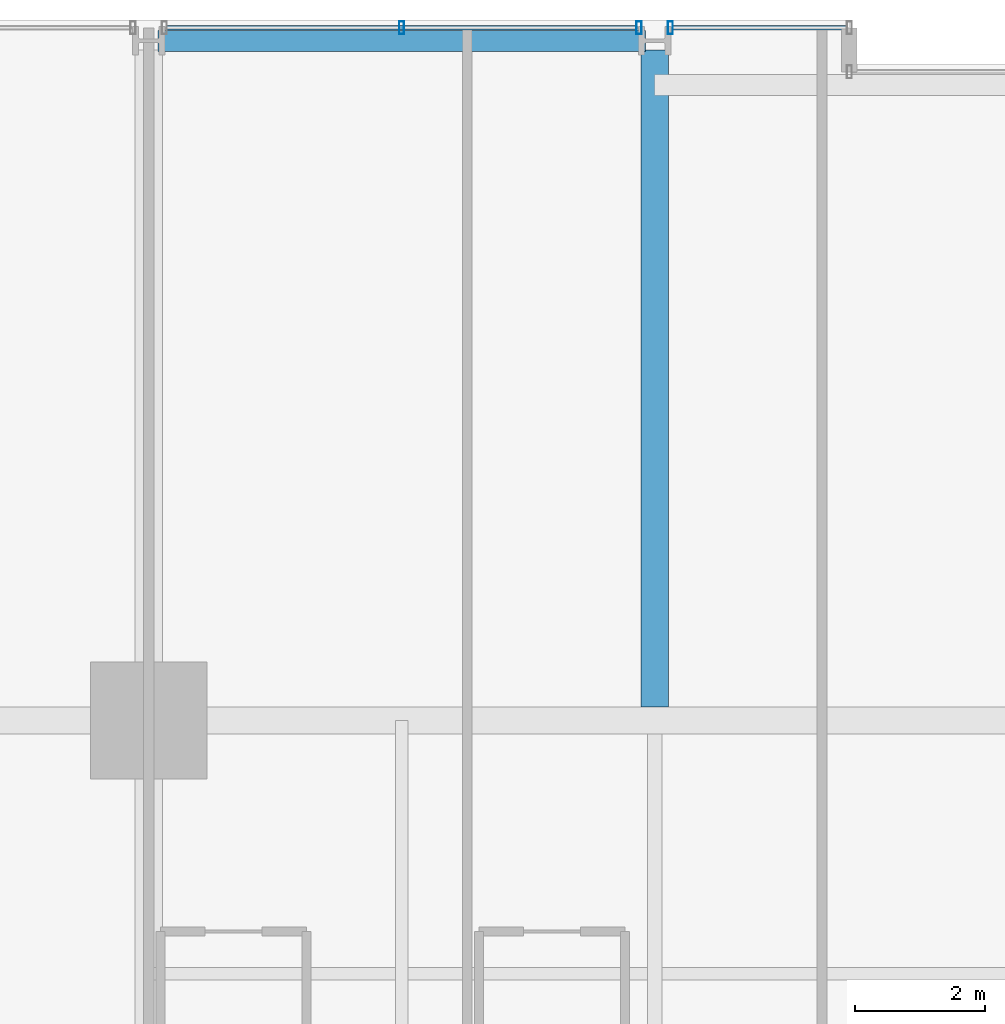
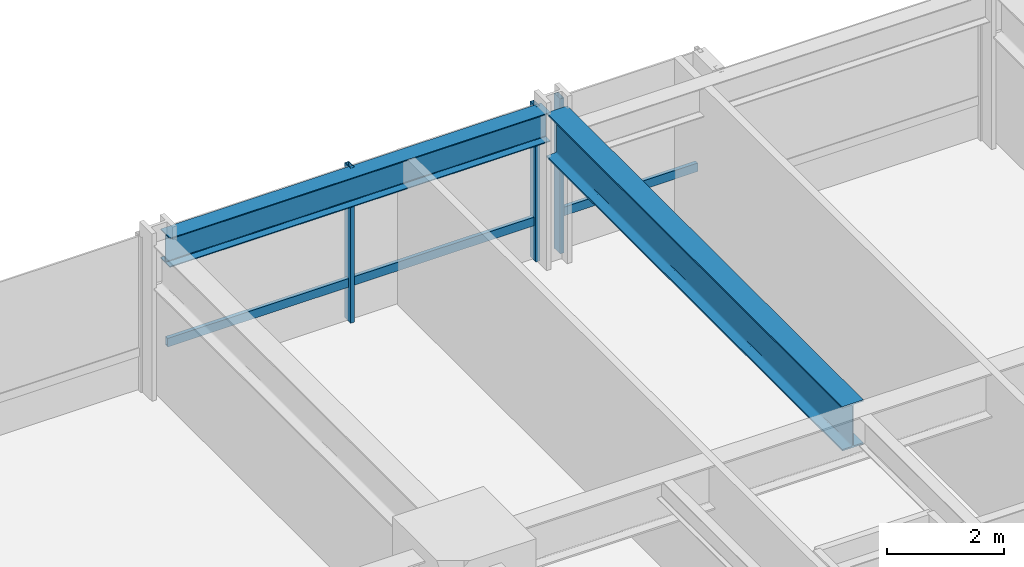
# One storey, part 22 of 39: 5 members, 2 beams, 2 elements without a shape of their own.
"""IFC4 building model written with IfcOpenShell, lengths in metres."""

from ifc_helpers import new_model, si_unit, direction, frame, origin, origin_2d, place, context, subcontext, project, spatial, hollow_rectangle, i_section, extrude, material, layer, layer_set, material_profile, profile_set, type_object, element, aggregate, save


model = new_model("IFC4")

# Units and contexts
model_context = context("Model", 3, precision=1e-05, world=origin(), true_north=direction((0.0, 1.0)))
body_context = subcontext(model_context, "Body", "Model", "MODEL_VIEW")
ifc_project = project(units=[si_unit("LENGTHUNIT", "METRE"), si_unit("AREAUNIT", "SQUARE_METRE"), si_unit("VOLUMEUNIT", "CUBIC_METRE"), si_unit("PLANEANGLEUNIT", "RADIAN"), si_unit("MASSUNIT", "GRAM", prefix="KILO")], contexts=[model_context])

# Site, building, storey
site_placement = place(None, origin())
site = spatial("IfcSite", under=ifc_project, at=site_placement, CompositionType="ELEMENT")
building_placement = place(site_placement, origin())
building = spatial("IfcBuilding", under=site, at=building_placement, Name="Drelvath Grand Hotel", CompositionType="ELEMENT")
storey_placement = place(building_placement, frame((0.0, 0.0, 36.699951171875)))
storey = spatial("IfcBuildingStorey", under=building, at=storey_placement, Name="L07", CompositionType="ELEMENT", Elevation=36.699951171875)

# Curtain wall, member
ifc_material_1 = material(Name="Warm Bronze Anodised Aluminium Frame", Category="aluminium")
ifc_layer = layer(ifc_material_1, 0.199951171875)
ifc_layer_set = layer_set([ifc_layer], Name="Warm Bronze Anodised Aluminium Frame")
curtain_wall_type = type_object("IfcCurtainWallType", Name="Stick Curtain Wall CW-02 Warm Bronze Low-Rise", PredefinedType="NOTDEFINED", material=ifc_layer_set)
curtain_wall_1_placement = place(storey_placement, origin())
curtain_wall_1 = element("IfcCurtainWall", 1, at=curtain_wall_1_placement, inside=storey, type_object=curtain_wall_type, Name="L07 CW-02 Curtain Wall CW02-L07-NW2", PredefinedType="NOTDEFINED")
ifc_material_profile_1 = material_profile(ifc_material_1, hollow_rectangle(XDim=0.074951171875, YDim=0.179931640625, WallThickness=0.0048828125, at=origin_2d()), Name="HSS180X75X5")
ifc_profile_set_1 = profile_set([ifc_material_profile_1], Name="Warm Bronze Anodised Aluminium Frame")
member_type_1 = type_object("IfcMemberType", Name="Curtain Wall Horizontal Transom CW-02 HSS180X75X5", PredefinedType="USERDEFINED", material=ifc_profile_set_1)
member_1_placement = place(storey_placement, frame((-15.919189453125, 53.8798828125, 0.81005859375), z_axis=(1.0, 0.0, 0.0), x_axis=(0.0, 1.0, 0.0)))
member_1 = element("IfcMember", 2, at=member_1_placement, type_object=member_type_1, Name="CW02-L07-NW2 Sill Transom", ObjectType="TRANSOM", PredefinedType="USERDEFINED", context=body_context, shape_type="SweptSolid", body=[
    extrude(hollow_rectangle(XDim=0.074951171875, YDim=0.179931640625, WallThickness=0.0048828125, at=origin_2d()), origin(), (0.0, 0.0, 1.0), 7.23828125),
])

curtain_wall_2_placement = place(storey_placement, origin())
curtain_wall_2 = element("IfcCurtainWall", 3, at=curtain_wall_2_placement, inside=storey, type_object=curtain_wall_type, Name="L07 CW-02 Curtain Wall CW02-L07-NW3", PredefinedType="NOTDEFINED")
member_2_placement = place(storey_placement, frame((-8.119140625, 53.8798828125, 0.81005859375), z_axis=(1.0, 0.0, 0.0), x_axis=(0.0, 1.0, 0.0)))
member_2 = element("IfcMember", 4, at=member_2_placement, type_object=member_type_1, Name="CW02-L07-NW3 Sill Transom", ObjectType="TRANSOM", PredefinedType="USERDEFINED", context=body_context, shape_type="SweptSolid", body=[
    extrude(hollow_rectangle(XDim=0.074951171875, YDim=0.179931640625, WallThickness=0.0048828125, at=origin_2d()), origin(), (0.0, 0.0, 1.0), 2.67919921875),
])

# Member
ifc_material_profile_2 = material_profile(ifc_material_1, hollow_rectangle(XDim=0.080078125, YDim=0.199951171875, WallThickness=0.0048828125, at=origin_2d()), Name="HSS200X80X5")
ifc_profile_set_2 = profile_set([ifc_material_profile_2], Name="Warm Bronze Anodised Aluminium Frame")
member_type_2 = type_object("IfcMemberType", Name="Curtain Wall Vertical Mullion CW-02 HSS200X80X5", PredefinedType="MULLION", material=ifc_profile_set_2)
member_3_placement = place(storey_placement, frame((-12.300048828125, 53.8798828125, 0.0), z_axis=(0.0, 0.0, 1.0), x_axis=(1.0, 0.0, 0.0)))
member_3 = element("IfcMember", 5, at=member_3_placement, type_object=member_type_2, Name="CW02-L07-NW2 Mullion 2", PredefinedType="MULLION", context=body_context, shape_type="SweptSolid", body=[
    extrude(hollow_rectangle(XDim=0.080078125, YDim=0.199951171875, WallThickness=0.0048828125, at=origin_2d()), origin(), (0.0, 0.0, 1.0), 3.239990234375),
])

member_4_placement = place(storey_placement, frame((-8.640869140625, 53.8798828125, 0.0), z_axis=(0.0, 0.0, 1.0), x_axis=(1.0, 0.0, 0.0)))
member_4 = element("IfcMember", 6, at=member_4_placement, type_object=member_type_2, Name="CW02-L07-NW2 Mullion 3", PredefinedType="MULLION", context=body_context, shape_type="SweptSolid", body=[
    extrude(hollow_rectangle(XDim=0.080078125, YDim=0.199951171875, WallThickness=0.0048828125, at=origin_2d()), origin(), (0.0, 0.0, 1.0), 3.239990234375),
])

aggregate(curtain_wall_1, [member_3, member_4, member_1])

member_5_placement = place(storey_placement, frame((-8.1591796875, 53.8798828125, 0.0), z_axis=(0.0, 0.0, 1.0), x_axis=(1.0, 0.0, 0.0)))
member_5 = element("IfcMember", 7, at=member_5_placement, type_object=member_type_2, Name="CW02-L07-NW3 Mullion 1", PredefinedType="MULLION", context=body_context, shape_type="SweptSolid", body=[
    extrude(hollow_rectangle(XDim=0.080078125, YDim=0.199951171875, WallThickness=0.0048828125, at=origin_2d()), origin(), (0.0, 0.0, 1.0), 3.239990234375),
])

aggregate(curtain_wall_2, [member_5, member_2])

# Beams
ifc_material_2 = material(Name="Steel ASTM A992 Gr 50", Category="steel")
ifc_material_profile_3 = material_profile(ifc_material_2, i_section(OverallWidth=0.323974609375, OverallDepth=0.611083984375, WebThickness=0.0126953125, FlangeThickness=0.01904296875, FilletRadius=0.02197265625, at=origin_2d()), Name="W24X104")
ifc_profile_set_3 = profile_set([ifc_material_profile_3], Name="Steel ASTM A992 Gr 50")
beam_type_1 = type_object("IfcBeamType", Name="Perimeter Spandrel Beam W24X104", PredefinedType="SPANDREL", material=ifc_profile_set_3)
beam_1_placement = place(storey_placement, frame((-16.06005859375, 53.679931640625, 2.9345703125), z_axis=(1.0, 0.0, 0.0), x_axis=(0.0, 1.0, 0.0)))
element("IfcBeam", 8, at=beam_1_placement, inside=storey, type_object=beam_type_1, Name="L07 Spandrel North W", PredefinedType="SPANDREL", context=body_context, shape_type="SweptSolid", body=[
    extrude(i_section(OverallWidth=0.323974609375, OverallDepth=0.611083984375, WebThickness=0.0126953125, FlangeThickness=0.01904296875, FilletRadius=0.02197265625, at=origin_2d()), origin(), (0.0, 0.0, 1.0), 7.52001953125),
])
ifc_material_profile_4 = material_profile(ifc_material_2, i_section(OverallWidth=0.418212890625, OverallDepth=0.926513671875, WebThickness=0.019287109375, FlangeThickness=0.031982421875, FilletRadius=0.028076171875, at=origin_2d()), Name="W36X231")
ifc_profile_set_4 = profile_set([ifc_material_profile_4], Name="Steel ASTM A992 Gr 50")
beam_type_2 = type_object("IfcBeamType", Name="Primary Floor Girder W36X231", PredefinedType="BEAM", material=ifc_profile_set_4)
beam_2_placement = place(storey_placement, frame((-8.39990234375, 43.4091796875, 2.77685546875), z_axis=(0.0, 1.0, 0.0), x_axis=(-1.0, 0.0, 0.0)))
element("IfcBeam", 9, at=beam_2_placement, inside=storey, type_object=beam_type_2, Name="L07 North Wing Girder 4", PredefinedType="BEAM", context=body_context, shape_type="SweptSolid", body=[
    extrude(i_section(OverallWidth=0.418212890625, OverallDepth=0.926513671875, WebThickness=0.019287109375, FlangeThickness=0.031982421875, FilletRadius=0.028076171875, at=origin_2d()), origin(), (0.0, 0.0, 1.0), 10.130859375),
])

save(model, "model.ifc")
